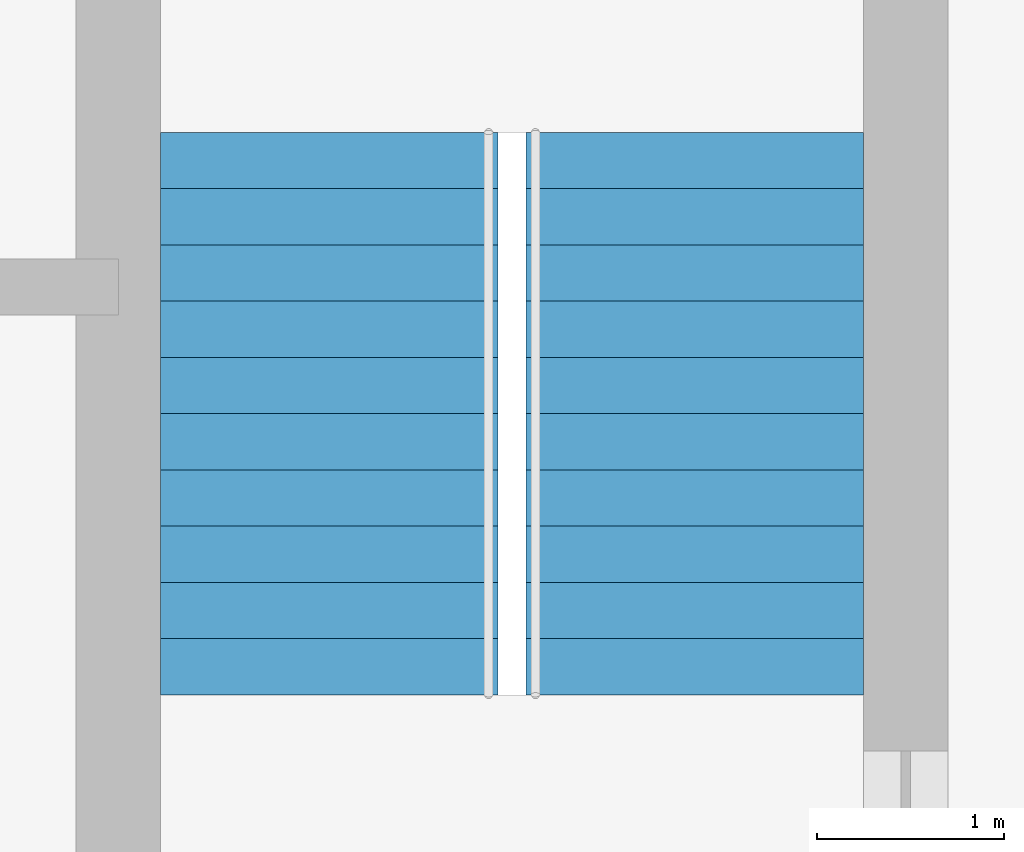
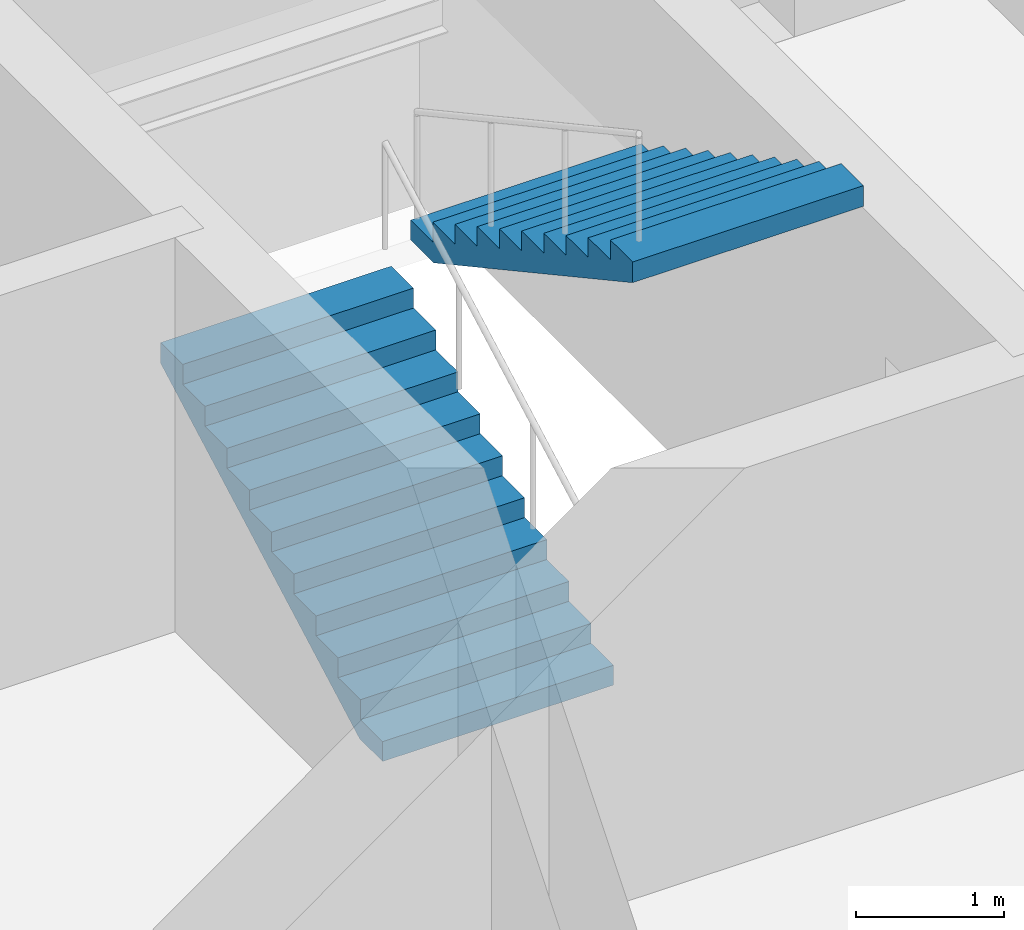
# One storey, part 13 of 14: 2 stair flights, 1 element without a shape of its own.
"""IFC4 building model written with IfcOpenShell, lengths in metres."""

from ifc_helpers import new_model, si_unit, direction, frame, origin, place, context, subcontext, project, spatial, polyline, outline, extrude, material, type_object, element, aggregate, save


model = new_model("IFC4")

# Units and contexts
model_context = context("Model", 3, precision=1e-05, world=origin(), true_north=direction((0.0, 1.0)))
body_context = subcontext(model_context, "Body", "Model", "MODEL_VIEW")
ifc_project = project(units=[si_unit("LENGTHUNIT", "METRE"), si_unit("AREAUNIT", "SQUARE_METRE"), si_unit("VOLUMEUNIT", "CUBIC_METRE"), si_unit("PLANEANGLEUNIT", "RADIAN"), si_unit("MASSUNIT", "GRAM", prefix="KILO")], contexts=[model_context])

# Site, building, storey
site_placement = place(None, origin())
site = spatial("IfcSite", under=ifc_project, at=site_placement, CompositionType="ELEMENT")
building_placement = place(site_placement, origin())
building = spatial("IfcBuilding", under=site, at=building_placement, Name="Dunama Terrace Hotel", CompositionType="ELEMENT")
storey_placement = place(building_placement, frame((0.0, 0.0, 133.199951171875)))
storey = spatial("IfcBuildingStorey", under=building, at=storey_placement, Name="L34", CompositionType="ELEMENT", Elevation=133.199951171875)

# Stair, stair flights
ifc_material_1 = material(Name="Concrete C40/50", Category="concrete")
stair_type = type_object("IfcStairType", Name="Stair ST1-3600-1800", PredefinedType="HALF_TURN_STAIR", material=ifc_material_1)
stair_placement = place(storey_placement, origin())
stair = element("IfcStair", 1, at=stair_placement, inside=storey, type_object=stair_type, Name="Stair ST1 L34", PredefinedType="HALF_TURN_STAIR")
ifc_material_2 = material(Name="Concrete C40/50", Category="concrete")
stair_flight_type = type_object("IfcStairFlightType", Name="Stair flight ST1-3600-1800", PredefinedType="STRAIGHT", material=ifc_material_2)
stair_flight_1_placement = place(storey_placement, frame((26.324951171875, 35.625, 0.0), z_axis=(0.0, 0.0, 1.0), x_axis=(0.0, 1.0, 0.0)))
stair_flight_1 = element("IfcStairFlight", 2, at=stair_flight_1_placement, type_object=stair_flight_type, Name="ST1 flight 1", NumberOfRisers=11, NumberOfTreads=10, PredefinedType="STRAIGHT", RiserHeight=0.163636364, TreadLength=0.3, context=body_context, shape_type="SweptSolid", body=[
    extrude(outline(polyline([(0.0, 0.0), (0.0, 0.16357421875), (0.300048828125, 0.16357421875), (0.300048828125, 0.327392578125), (0.60009765625, 0.327392578125), (0.60009765625, 0.490966796875), (0.89990234375, 0.490966796875), (0.89990234375, 0.654541015625), (1.199951171875, 0.654541015625), (1.199951171875, 0.818115234375), (1.5, 0.818115234375), (1.5, 0.98193359375), (1.800048828125, 0.98193359375), (1.800048828125, 1.1455078125), (2.10009765625, 1.1455078125), (2.10009765625, 1.30908203125), (2.39990234375, 1.30908203125), (2.39990234375, 1.47265625), (2.699951171875, 1.47265625), (2.699951171875, 1.636474609375), (3.0, 1.636474609375), (3.0, 1.800048828125), (3.0, 1.465576171875), (0.31298828125, 0.0), (0.0, 0.0)])), frame((0.0, 0.89990234375, 0.0), z_axis=(0.0, -1.0, 0.0), x_axis=(1.0, 0.0, 0.0)), (0.0, 0.0, 1.0), 1.800048828125),
])
stair_flight_2_placement = place(storey_placement, frame((28.27490234375, 38.625, 1.800048828125), z_axis=(0.0, 0.0, 1.0), x_axis=(0.0, -1.0, 0.0)))
stair_flight_2 = element("IfcStairFlight", 3, at=stair_flight_2_placement, type_object=stair_flight_type, Name="ST1 flight 2", NumberOfRisers=11, NumberOfTreads=10, PredefinedType="STRAIGHT", RiserHeight=0.163636364, TreadLength=0.3, context=body_context, shape_type="SweptSolid", body=[
    extrude(outline(polyline([(0.0, 0.0), (0.0, 0.16357421875), (0.300048828125, 0.16357421875), (0.300048828125, 0.327392578125), (0.60009765625, 0.327392578125), (0.60009765625, 0.490966796875), (0.89990234375, 0.490966796875), (0.89990234375, 0.654541015625), (1.199951171875, 0.654541015625), (1.199951171875, 0.818115234375), (1.5, 0.818115234375), (1.5, 0.98193359375), (1.800048828125, 0.98193359375), (1.800048828125, 1.1455078125), (2.10009765625, 1.1455078125), (2.10009765625, 1.30908203125), (2.39990234375, 1.30908203125), (2.39990234375, 1.47265625), (2.699951171875, 1.47265625), (2.699951171875, 1.636474609375), (3.0, 1.636474609375), (3.0, 1.800048828125), (3.0, 1.465576171875), (0.31298828125, 0.0), (0.0, 0.0)])), frame((0.0, 0.89990234375, 0.0), z_axis=(0.0, -1.0, 0.0), x_axis=(1.0, 0.0, 0.0)), (0.0, 0.0, 1.0), 1.800048828125),
])
aggregate(stair, [stair_flight_1, stair_flight_2])

save(model, "model.ifc")
